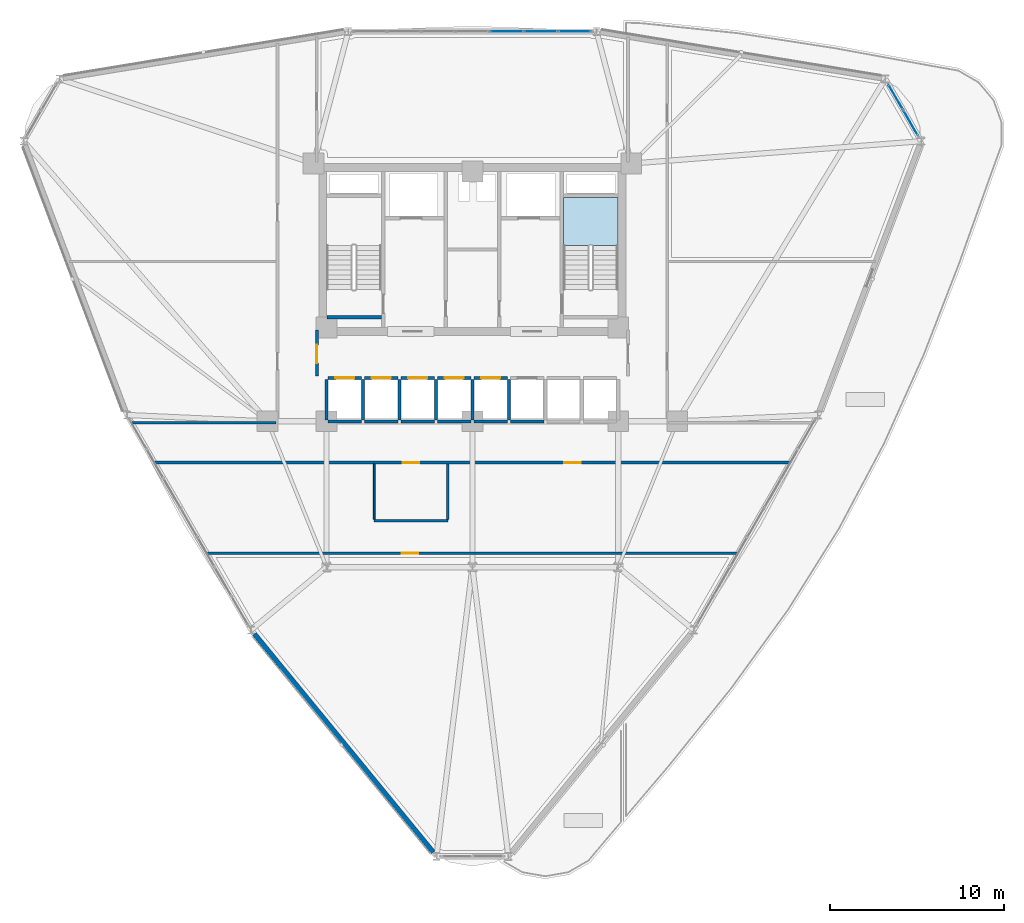
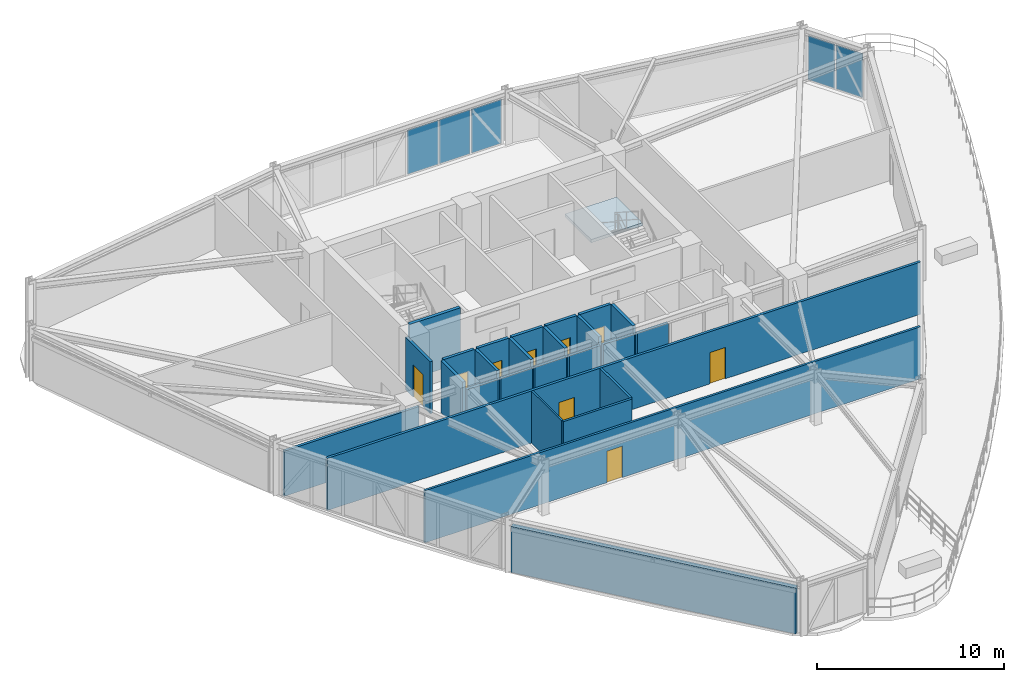
# One storey, part 17 of 23: 26 walls, 9 doors, 5 plates, 1 slab, 9 openings, 3 elements without a shape of their own.
"""IFC4 building model written with IfcOpenShell, lengths in metres."""

from ifc_helpers import new_model, si_unit, derived_unit, direction, frame, frame_2d, origin, origin_2d, place, context, subcontext, project, spatial, polyline, rectangle, outline, extrude, source, transform, mapped, material, layer, layer_set, type_object, element, fill, aggregate, save


model = new_model("IFC4")

# Units and contexts
model_context = context("Model", 3, precision=1e-05, world=origin(), true_north=direction((0.0, 1.0)))
body_context = subcontext(model_context, "Body", "Model", "MODEL_VIEW")
ifc_project = project(units=[si_unit("LENGTHUNIT", "METRE"), si_unit("AREAUNIT", "SQUARE_METRE"), si_unit("VOLUMEUNIT", "CUBIC_METRE"), si_unit("PLANEANGLEUNIT", "RADIAN"), si_unit("MASSUNIT", "GRAM", prefix="KILO"), derived_unit("THERMALTRANSMITTANCEUNIT", [(si_unit("POWERUNIT", "WATT"), 1), (si_unit("LENGTHUNIT", "METRE"), -2), (si_unit("THERMODYNAMICTEMPERATUREUNIT", "KELVIN"), -1)])], contexts=[model_context])

# Site, building, storey
site_placement = place(None, origin())
site = spatial("IfcSite", under=ifc_project, at=site_placement, CompositionType="ELEMENT")
building_placement = place(site_placement, origin())
building = spatial("IfcBuilding", under=site, at=building_placement, Name="Korsvarv Bourse and Concert Hall", CompositionType="ELEMENT")
storey_placement = place(building_placement, frame((0.0, 0.0, 99.0)))
storey = spatial("IfcBuildingStorey", under=building, at=storey_placement, Name="L24", CompositionType="ELEMENT", Elevation=99.0)

# Stair, slab
ifc_material_1 = material(Name="Precast concrete C45/55", Category="concrete")
stair_type = type_object("IfcStairType", Name="STR-TYPE-04", PredefinedType="HALF_TURN_STAIR", material=ifc_material_1)
stair_placement = place(storey_placement, origin())
stair = element("IfcStair", 1, at=stair_placement, inside=storey, type_object=stair_type, Name="L24 Tower East Exit Stair ST-T2", PredefinedType="HALF_TURN_STAIR")
ifc_layer_1 = layer(ifc_material_1, 0.199951171875)
ifc_layer_set_1 = layer_set([ifc_layer_1], Name="Precast concrete C45/55")
slab_type = type_object("IfcSlabType", Name="SLB-ST-LND", PredefinedType="LANDING", material=ifc_layer_set_1)
slab_placement = place(storey_placement, frame((0.0, 0.0, 1.60009765625)))
slab = element("IfcSlab", 2, at=slab_placement, type_object=slab_type, Name="ST-T2 landing 1", PredefinedType="LANDING", context=body_context, shape_type="SweptSolid", body=[
    extrude(outline(polyline([(44.39990234375, 42.52001953125), (44.39990234375, 45.300048828125), (41.239990234375, 45.300048828125), (41.239990234375, 42.52001953125), (44.39990234375, 42.52001953125)])), origin(), (0.0, 0.0, 1.0), 0.199951171875),
])
aggregate(stair, [slab])

# Curtain wall, plates
ifc_material_2 = material(Name="Anodised aluminium and triple low-E glazing", Category="glass")
ifc_layer_2 = layer(ifc_material_2, 0.2099609375)
ifc_layer_set_2 = layer_set([ifc_layer_2], Name="Anodised aluminium and triple low-E glazing")
curtain_wall_type = type_object("IfcCurtainWallType", Name="CW-SYS-2", PredefinedType="NOTDEFINED", material=ifc_layer_set_2)
curtain_wall_1_placement = place(storey_placement, origin())
curtain_wall_1 = element("IfcCurtainWall", 3, at=curtain_wall_1_placement, inside=storey, type_object=curtain_wall_type, Name="L24 CW2 curtain wall CW-L24-F01", PredefinedType="NOTDEFINED")
ifc_material_3 = material(Name="Insulated spandrel glass", Category="glass")
ifc_layer_3 = layer(ifc_material_3, 0.031982421875)
ifc_layer_set_3 = layer_set([ifc_layer_3], Name="Insulated spandrel glass")
plate_type_1 = type_object("IfcPlateType", Name="CWP-SPD1", PredefinedType="CURTAIN_PANEL", material=ifc_layer_set_3)
shared_shape_1 = source(origin(), body_context, "Body", "SweptSolid", [
    extrude(rectangle(XDim=1.64306640625, YDim=0.031982421875, at=origin_2d()), origin(), (0.0, 0.0, 1.0), 2.8701171875),
])
plate_1_placement = place(storey_placement, frame((61.245361328125, 49.58642578125, 0.06494140625), z_axis=(0.0, 0.0, 1.0), x_axis=(-0.500003073178, 0.866023629477, 0.0)))
plate_1 = element("IfcPlate", 4, at=plate_1_placement, type_object=plate_type_1, Name="CW2 spandrel shadow-box panel 1.1", PredefinedType="CURTAIN_PANEL", context=body_context, shape_type="MappedRepresentation", body=[
    mapped(shared_shape_1, transform((0.0, 0.0, 0.0), scale=1.0)),
])
ifc_material_4 = material(Name="Tempered triple insulated low-E architectural glass", Category="glass")
ifc_layer_4 = layer(ifc_material_4, 0.0380859375)
ifc_layer_set_4 = layer_set([ifc_layer_4], Name="Tempered triple insulated low-E architectural glass")
plate_type_2 = type_object("IfcPlateType", Name="CWP-VIS2", PredefinedType="CURTAIN_PANEL", material=ifc_layer_set_4)
shared_shape_2 = source(origin(), body_context, "Body", "SweptSolid", [
    extrude(rectangle(XDim=1.64306640625, YDim=0.0380859375, at=origin_2d()), origin(), (0.0, 0.0, 1.0), 2.8701171875),
])
plate_2_placement = place(storey_placement, frame((60.388671875, 51.06982421875, 0.06494140625), z_axis=(0.0, 0.0, 1.0), x_axis=(-0.500003073178, 0.866023629477, 0.0)))
plate_2 = element("IfcPlate", 5, at=plate_2_placement, type_object=plate_type_2, Name="CW2 faceted panel 2.1", PredefinedType="CURTAIN_PANEL", context=body_context, shape_type="MappedRepresentation", body=[
    mapped(shared_shape_2, transform((0.0, 0.0, 0.0), scale=1.0)),
])
aggregate(curtain_wall_1, [plate_1, plate_2])

curtain_wall_2_placement = place(storey_placement, origin())
curtain_wall_2 = element("IfcCurtainWall", 6, at=curtain_wall_2_placement, inside=storey, type_object=curtain_wall_type, Name="L24 CW2 curtain wall CW-L24-F03", PredefinedType="NOTDEFINED")
shared_shape_3 = source(origin(), body_context, "Body", "SweptSolid", [
    extrude(rectangle(XDim=1.86376953125, YDim=0.031982421875, at=origin_2d()), origin(), (0.0, 0.0, 1.0), 2.8701171875),
])
plate_3_placement = place(storey_placement, frame((41.888671875, 54.8515625, 0.06494140625), z_axis=(0.0, 0.0, 1.0), x_axis=(-1.0, 0.0, 0.0)))
plate_3 = element("IfcPlate", 7, at=plate_3_placement, type_object=plate_type_1, Name="CW2 spandrel shadow-box panel 1.1", PredefinedType="CURTAIN_PANEL", context=body_context, shape_type="MappedRepresentation", body=[
    mapped(shared_shape_3, transform((0.0, 0.0, 0.0), scale=1.0)),
])
shared_shape_4 = source(origin(), body_context, "Body", "SweptSolid", [
    extrude(rectangle(XDim=1.898681640625, YDim=0.0380859375, at=origin_2d()), origin(), (0.0, 0.0, 1.0), 2.8701171875),
])
plate_4_placement = place(storey_placement, frame((39.937255859375, 54.8515625, 0.06494140625), z_axis=(0.0, 0.0, 1.0), x_axis=(-1.0, 0.0, 0.0)))
plate_4 = element("IfcPlate", 8, at=plate_4_placement, type_object=plate_type_2, Name="CW2 faceted panel 2.1", PredefinedType="CURTAIN_PANEL", context=body_context, shape_type="MappedRepresentation", body=[
    mapped(shared_shape_4, transform((0.0, 0.0, 0.0), scale=1.0)),
])
plate_5_placement = place(storey_placement, frame((37.96875, 54.8515625, 0.06494140625), z_axis=(0.0, 0.0, 1.0), x_axis=(-1.0, 0.0, 0.0)))
plate_5 = element("IfcPlate", 9, at=plate_5_placement, type_object=plate_type_2, Name="CW2 faceted panel 3.1", PredefinedType="CURTAIN_PANEL", context=body_context, shape_type="MappedRepresentation", body=[
    mapped(shared_shape_4, transform((0.0, 0.0, 0.0), scale=1.0)),
])
aggregate(curtain_wall_2, [plate_3, plate_4, plate_5])

# Walls
ifc_material_5 = material(Name="Concrete C50/60", Category="concrete")
ifc_layer_5 = layer(ifc_material_5, 0.3798828125)
ifc_layer_set_5 = layer_set([ifc_layer_5], Name="Concrete C50/60")
wall_type_1 = type_object("IfcWallType", Name="WL-CORE-380", PredefinedType="SHEAR", material=ifc_layer_set_5)
wall_1_placement = place(storey_placement, frame((27.610107421875, 38.39990234375, 0.0), z_axis=(0.0, 0.0, 1.0), x_axis=(1.0, 0.0, 0.0)))
element("IfcWall", 10, at=wall_1_placement, inside=storey, type_object=wall_type_1, Name="L24 stair shaft structural wall W-L24-ST1-S", PredefinedType="SHEAR", context=body_context, shape_type="SweptSolid", body=[
    extrude(rectangle(XDim=3.139892578125, YDim=0.199951171875, at=frame_2d((1.56982421875, 0.0))), origin(), (0.0, 0.0, 1.0), 3.60009765625),
])
ifc_material_6 = material(Name="Precast concrete C45/55 with fluted terracotta pier", Category="concrete")
ifc_layer_6 = layer(ifc_material_6, 0.280029296875)
ifc_layer_set_6 = layer_set([ifc_layer_6], Name="Precast concrete C45/55 with fluted terracotta pier")
wall_type_2 = type_object("IfcWallType", Name="WL-EXT-TC2", PredefinedType="SOLIDWALL", material=ifc_layer_set_6)
wall_2_placement = place(storey_placement, frame((23.439208984375, 20.150146484375, 0.0), z_axis=(0.0, 0.0, 1.0), x_axis=(0.633768446385, -0.773522822137, 0.0)))
element("IfcWall", 11, at=wall_2_placement, inside=storey, type_object=wall_type_2, Name="L24 terracotta exterior wall EW-L24-B08", PredefinedType="SOLIDWALL", context=body_context, shape_type="SweptSolid", body=[
    extrude(rectangle(XDim=16.255126953125, YDim=0.280029296875, at=frame_2d((8.12744140625, 0.0))), origin(), (0.0, 0.0, 1.0), 3.0),
])

# Wall, opening, door
ifc_material_7 = material(Name="Double-stud fire-rated acoustic partition", Category="gypsum")
ifc_layer_7 = layer(ifc_material_7, 0.159912109375)
ifc_layer_set_7 = layer_set([ifc_layer_7], Name="Double-stud fire-rated acoustic partition")
wall_type_3 = type_object("IfcWallType", Name="WL-INT-EI60", PredefinedType="PARTITIONING", material=ifc_layer_set_7)
wall_3_placement = place(storey_placement, frame((27.0400390625, 35.0, 0.0), z_axis=(0.0, 0.0, 1.0), x_axis=(0.0, 1.0, 0.0)))
wall_3 = element("IfcWall", 12, at=wall_3_placement, inside=storey, type_object=wall_type_3, Name="L24 interior partition wall W-L24-LOB-W", PredefinedType="PARTITIONING", context=body_context, shape_type="SweptSolid", body=[
    extrude(rectangle(XDim=2.64990234375, YDim=0.159912109375, at=frame_2d((1.324951171875, 0.0))), origin(), (0.0, 0.0, 1.0), 3.39990234375),
])
opening_1_placement = place(wall_3_placement, frame((0.75, 0.0, 0.0)))
opening_1 = element("IfcOpeningElement", 13, at=opening_1_placement, cuts=wall_3, Name="Opening D-01", PredefinedType="OPENING", context=body_context, shape_type="SweptSolid", body=[
    extrude(rectangle(XDim=1.050048828125, YDim=2.10009765625, at=frame_2d((0.52490234375, 1.050048828125))), frame((0.0, 0.08984375, 0.0), z_axis=(0.0, -1.0, 0.0), x_axis=(1.0, 0.0, 0.0)), (0.0, 0.0, 1.0), 0.179931640625),
])
ifc_material_8 = material(Name="Steel S355 fire door", Category="steel")
door_type_1 = type_object("IfcDoorType", Name="DR-FD60", OperationType="NOTDEFINED", PredefinedType="DOOR", material=ifc_material_8)
door_1_placement = place(opening_1_placement, frame((1.050048828125, 0.0, 0.0), z_axis=(0.0, 0.0, 1.0), x_axis=(-1.0, 0.0, 0.0)))
door_1 = element("IfcDoor", 14, at=door_1_placement, inside=storey, type_object=door_type_1, Name="L24 interior door DR-L24-LOBW", OperationType="SINGLE_SWING_RIGHT", OverallHeight=2.10009765625, OverallWidth=1.050048828125, PredefinedType="DOOR", context=body_context, shape_type="SweptSolid", body=[
    extrude(rectangle(XDim=1.050048828125, YDim=2.10009765625, at=frame_2d((0.52490234375, 1.050048828125))), frame((0.0, 0.02490234375, 0.0), z_axis=(0.0, -1.0, 0.0), x_axis=(1.0, 0.0, 0.0)), (0.0, 0.0, 1.0), 0.050048828125),
])
fill(opening_1, door_1)

# Wall, openings, doors
wall_4_placement = place(storey_placement, frame((17.701904296875, 30.02490234375, 0.0), z_axis=(0.0, 0.0, 1.0), x_axis=(1.0, 0.0, 0.0)))
wall_4 = element("IfcWall", 15, at=wall_4_placement, inside=storey, type_object=wall_type_3, Name="L24 interior partition wall W-L24-TCOR-01", PredefinedType="PARTITIONING", context=body_context, shape_type="SweptSolid", body=[
    extrude(rectangle(XDim=36.59619140625, YDim=0.159912109375, at=frame_2d((18.298095703125, 0.0))), origin(), (0.0, 0.0, 1.0), 3.39990234375),
])
opening_2_placement = place(wall_4_placement, frame((14.283203125, 0.0, 0.0)))
opening_2 = element("IfcOpeningElement", 16, at=opening_2_placement, cuts=wall_4, Name="Opening D-02", PredefinedType="OPENING", context=body_context, shape_type="SweptSolid", body=[
    extrude(rectangle(XDim=0.949951171875, YDim=2.050048828125, at=frame_2d((0.47509765625, 1.02490234375))), frame((0.0, 0.08984375, 0.0), z_axis=(0.0, -1.0, 0.0), x_axis=(1.0, 0.0, 0.0)), (0.0, 0.0, 1.0), 0.179931640625),
])
opening_3_placement = place(wall_4_placement, frame((23.59619140625, 0.0, 0.0)))
opening_3 = element("IfcOpeningElement", 17, at=opening_3_placement, cuts=wall_4, Name="Opening D-02", PredefinedType="OPENING", context=body_context, shape_type="SweptSolid", body=[
    extrude(rectangle(XDim=0.949951171875, YDim=2.050048828125, at=frame_2d((0.47509765625, 1.02490234375))), frame((0.0, 0.08984375, 0.0), z_axis=(0.0, -1.0, 0.0), x_axis=(1.0, 0.0, 0.0)), (0.0, 0.0, 1.0), 0.179931640625),
])
ifc_material_9 = material(Name="Timber and steel acoustic fire door", Category="wood")
door_type_2 = type_object("IfcDoorType", Name="DR-FD30", OperationType="NOTDEFINED", PredefinedType="DOOR", material=ifc_material_9)
door_2_placement = place(opening_2_placement, origin())
door_2 = element("IfcDoor", 18, at=door_2_placement, inside=storey, type_object=door_type_2, Name="L24 interior door DR-L24-TCOR-RWC", OperationType="SINGLE_SWING_RIGHT", OverallHeight=2.050048828125, OverallWidth=0.949951171875, PredefinedType="DOOR", context=body_context, shape_type="SweptSolid", body=[
    extrude(rectangle(XDim=0.949951171875, YDim=2.050048828125, at=frame_2d((0.47509765625, 1.02490234375))), frame((0.0, 0.02490234375, 0.0), z_axis=(0.0, -1.0, 0.0), x_axis=(1.0, 0.0, 0.0)), (0.0, 0.0, 1.0), 0.050048828125),
])
fill(opening_2, door_2)
door_3_placement = place(opening_3_placement, origin())
door_3 = element("IfcDoor", 19, at=door_3_placement, inside=storey, type_object=door_type_2, Name="L24 interior door DR-L24-TCOR-SL14", OperationType="SINGLE_SWING_LEFT", OverallHeight=2.050048828125, OverallWidth=0.949951171875, PredefinedType="DOOR", context=body_context, shape_type="SweptSolid", body=[
    extrude(rectangle(XDim=0.949951171875, YDim=2.050048828125, at=frame_2d((0.47509765625, 1.02490234375))), frame((0.0, 0.02490234375, 0.0), z_axis=(0.0, -1.0, 0.0), x_axis=(1.0, 0.0, 0.0)), (0.0, 0.0, 1.0), 0.050048828125),
])
fill(opening_3, door_3)

# Wall
wall_5_placement = place(storey_placement, frame((16.379638671875, 32.31494140625, 0.0), z_axis=(0.0, 0.0, 1.0), x_axis=(1.0, 0.0, 0.0)))
element("IfcWall", 20, at=wall_5_placement, inside=storey, type_object=wall_type_3, Name="L24 interior partition wall W-L24-TCOR-04", PredefinedType="PARTITIONING", context=body_context, shape_type="SweptSolid", body=[
    extrude(rectangle(XDim=8.3134765625, YDim=0.159912109375, at=frame_2d((4.15673828125, 0.0))), origin(), (0.0, 0.0, 1.0), 2.949951171875),
])

# Wall, opening, door
ifc_material_10 = material(Name="Gypsum-clad autoclaved concrete shaft wall C30/37", Category="concrete")
ifc_layer_8 = layer(ifc_material_10, 0.179931640625)
ifc_layer_set_8 = layer_set([ifc_layer_8], Name="Gypsum-clad autoclaved concrete shaft wall C30/37")
wall_type_4 = type_object("IfcWallType", Name="WL-INT-EI90", PredefinedType="PARTITIONING", material=ifc_layer_set_8)
wall_6_placement = place(storey_placement, frame((27.68994140625, 34.89990234375, 0.0), z_axis=(0.0, 0.0, 1.0), x_axis=(1.0, 0.0, 0.0)))
wall_6 = element("IfcWall", 21, at=wall_6_placement, inside=storey, type_object=wall_type_4, Name="L24 interior partition wall W-L24-SHFN-PL1", PredefinedType="PARTITIONING", context=body_context, shape_type="SweptSolid", body=[
    extrude(rectangle(XDim=1.920166015625, YDim=0.179931640625, at=frame_2d((0.9599609375, 0.0))), origin(), (0.0, 0.0, 1.0), 3.39990234375),
])
opening_4_placement = place(wall_6_placement, frame((0.409912109375, 0.0, 0.0)))
opening_4 = element("IfcOpeningElement", 22, at=opening_4_placement, cuts=wall_6, Name="Opening LD-2", PredefinedType="OPENING", context=body_context, shape_type="SweptSolid", body=[
    extrude(rectangle(XDim=1.10009765625, YDim=2.10009765625, at=frame_2d((0.550048828125, 1.050048828125))), frame((0.0, 0.10009765625, 0.0), z_axis=(0.0, -1.0, 0.0), x_axis=(1.0, 0.0, 0.0)), (0.0, 0.0, 1.0), 0.199951171875),
])
ifc_material_11 = material(Name="Brushed stainless Steel S355 lift landing door", Category="steel")
door_type_3 = type_object("IfcDoorType", Name="DR-LIFT-P", OperationType="DOUBLE_DOOR_SLIDING", PredefinedType="DOOR", material=ifc_material_11)
door_4_placement = place(opening_4_placement, origin())
door_4 = element("IfcDoor", 23, at=door_4_placement, inside=storey, type_object=door_type_3, Name="L24 lift sliding landing door LD-L24-PL1", OperationType="DOUBLE_DOOR_SLIDING", OverallHeight=2.10009765625, OverallWidth=1.10009765625, PredefinedType="DOOR", context=body_context, shape_type="SweptSolid", body=[
    extrude(rectangle(XDim=1.10009765625, YDim=2.10009765625, at=frame_2d((0.550048828125, 1.050048828125))), frame((0.0, 0.02490234375, 0.0), z_axis=(0.0, -1.0, 0.0), x_axis=(1.0, 0.0, 0.0)), (0.0, 0.0, 1.0), 0.050048828125),
])
fill(opening_4, door_4)

# Walls
wall_7_placement = place(storey_placement, frame((27.68994140625, 32.39990234375, 0.0), z_axis=(0.0, 0.0, 1.0), x_axis=(1.0, 0.0, 0.0)))
element("IfcWall", 24, at=wall_7_placement, inside=storey, type_object=wall_type_4, Name="L24 interior partition wall W-L24-SHFS-PL1", PredefinedType="PARTITIONING", context=body_context, shape_type="SweptSolid", body=[
    extrude(rectangle(XDim=1.920166015625, YDim=0.179931640625, at=frame_2d((0.9599609375, 0.0))), origin(), (0.0, 0.0, 1.0), 2.949951171875),
])
wall_8_placement = place(storey_placement, frame((27.60009765625, 32.489990234375, 0.0), z_axis=(0.0, 0.0, 1.0), x_axis=(0.0, 1.0, 0.0)))
element("IfcWall", 25, at=wall_8_placement, inside=storey, type_object=wall_type_4, Name="L24 interior partition wall W-L24-SHFW-PL1", PredefinedType="PARTITIONING", context=body_context, shape_type="SweptSolid", body=[
    extrude(rectangle(XDim=2.320068359375, YDim=0.179931640625, at=frame_2d((1.16015625, 0.0))), origin(), (0.0, 0.0, 1.0), 3.39990234375),
])

# Wall, opening, door
wall_9_placement = place(storey_placement, frame((29.7900390625, 34.89990234375, 0.0), z_axis=(0.0, 0.0, 1.0), x_axis=(1.0, 0.0, 0.0)))
wall_9 = element("IfcWall", 26, at=wall_9_placement, inside=storey, type_object=wall_type_4, Name="L24 interior partition wall W-L24-SHFN-PL2", PredefinedType="PARTITIONING", context=body_context, shape_type="SweptSolid", body=[
    extrude(rectangle(XDim=1.919921875, YDim=0.179931640625, at=frame_2d((0.9599609375, 0.0))), origin(), (0.0, 0.0, 1.0), 3.39990234375),
])
opening_5_placement = place(wall_9_placement, frame((0.409912109375, 0.0, 0.0)))
opening_5 = element("IfcOpeningElement", 27, at=opening_5_placement, cuts=wall_9, Name="Opening LD-2", PredefinedType="OPENING", context=body_context, shape_type="SweptSolid", body=[
    extrude(rectangle(XDim=1.10009765625, YDim=2.10009765625, at=frame_2d((0.550048828125, 1.050048828125))), frame((0.0, 0.10009765625, 0.0), z_axis=(0.0, -1.0, 0.0), x_axis=(1.0, 0.0, 0.0)), (0.0, 0.0, 1.0), 0.199951171875),
])
door_5_placement = place(opening_5_placement, origin())
door_5 = element("IfcDoor", 28, at=door_5_placement, inside=storey, type_object=door_type_3, Name="L24 lift sliding landing door LD-L24-PL2", OperationType="DOUBLE_DOOR_SLIDING", OverallHeight=2.10009765625, OverallWidth=1.10009765625, PredefinedType="DOOR", context=body_context, shape_type="SweptSolid", body=[
    extrude(rectangle(XDim=1.10009765625, YDim=2.10009765625, at=frame_2d((0.550048828125, 1.050048828125))), frame((0.0, 0.02490234375, 0.0), z_axis=(0.0, -1.0, 0.0), x_axis=(1.0, 0.0, 0.0)), (0.0, 0.0, 1.0), 0.050048828125),
])
fill(opening_5, door_5)

# Walls
wall_10_placement = place(storey_placement, frame((29.7900390625, 32.39990234375, 0.0), z_axis=(0.0, 0.0, 1.0), x_axis=(1.0, 0.0, 0.0)))
element("IfcWall", 29, at=wall_10_placement, inside=storey, type_object=wall_type_4, Name="L24 interior partition wall W-L24-SHFS-PL2", PredefinedType="PARTITIONING", context=body_context, shape_type="SweptSolid", body=[
    extrude(rectangle(XDim=1.919921875, YDim=0.179931640625, at=frame_2d((0.9599609375, 0.0))), origin(), (0.0, 0.0, 1.0), 2.949951171875),
])
wall_11_placement = place(storey_placement, frame((29.699951171875, 32.489990234375, 0.0), z_axis=(0.0, 0.0, 1.0), x_axis=(0.0, 1.0, 0.0)))
element("IfcWall", 30, at=wall_11_placement, inside=storey, type_object=wall_type_4, Name="L24 interior partition wall W-L24-SHFW-PL2", PredefinedType="PARTITIONING", context=body_context, shape_type="SweptSolid", body=[
    extrude(rectangle(XDim=2.320068359375, YDim=0.179931640625, at=frame_2d((1.16015625, 0.0))), origin(), (0.0, 0.0, 1.0), 3.39990234375),
])

# Wall, opening, door
wall_12_placement = place(storey_placement, frame((31.889892578125, 34.89990234375, 0.0), z_axis=(0.0, 0.0, 1.0), x_axis=(1.0, 0.0, 0.0)))
wall_12 = element("IfcWall", 31, at=wall_12_placement, inside=storey, type_object=wall_type_4, Name="L24 interior partition wall W-L24-SHFN-PM1", PredefinedType="PARTITIONING", context=body_context, shape_type="SweptSolid", body=[
    extrude(rectangle(XDim=1.920166015625, YDim=0.179931640625, at=frame_2d((0.9599609375, 0.0))), origin(), (0.0, 0.0, 1.0), 3.39990234375),
])
opening_6_placement = place(wall_12_placement, frame((0.409912109375, 0.0, 0.0)))
opening_6 = element("IfcOpeningElement", 32, at=opening_6_placement, cuts=wall_12, Name="Opening LD-2", PredefinedType="OPENING", context=body_context, shape_type="SweptSolid", body=[
    extrude(rectangle(XDim=1.10009765625, YDim=2.10009765625, at=frame_2d((0.550048828125, 1.050048828125))), frame((0.0, 0.10009765625, 0.0), z_axis=(0.0, -1.0, 0.0), x_axis=(1.0, 0.0, 0.0)), (0.0, 0.0, 1.0), 0.199951171875),
])
door_6_placement = place(opening_6_placement, origin())
door_6 = element("IfcDoor", 33, at=door_6_placement, inside=storey, type_object=door_type_3, Name="L24 lift sliding landing door LD-L24-PM1", OperationType="DOUBLE_DOOR_SLIDING", OverallHeight=2.10009765625, OverallWidth=1.10009765625, PredefinedType="DOOR", context=body_context, shape_type="SweptSolid", body=[
    extrude(rectangle(XDim=1.10009765625, YDim=2.10009765625, at=frame_2d((0.550048828125, 1.050048828125))), frame((0.0, 0.02490234375, 0.0), z_axis=(0.0, -1.0, 0.0), x_axis=(1.0, 0.0, 0.0)), (0.0, 0.0, 1.0), 0.050048828125),
])
fill(opening_6, door_6)

# Walls
wall_13_placement = place(storey_placement, frame((31.889892578125, 32.39990234375, 0.0), z_axis=(0.0, 0.0, 1.0), x_axis=(1.0, 0.0, 0.0)))
element("IfcWall", 34, at=wall_13_placement, inside=storey, type_object=wall_type_4, Name="L24 interior partition wall W-L24-SHFS-PM1", PredefinedType="PARTITIONING", context=body_context, shape_type="SweptSolid", body=[
    extrude(rectangle(XDim=1.920166015625, YDim=0.179931640625, at=frame_2d((0.9599609375, 0.0))), origin(), (0.0, 0.0, 1.0), 2.949951171875),
])
wall_14_placement = place(storey_placement, frame((31.800048828125, 32.489990234375, 0.0), z_axis=(0.0, 0.0, 1.0), x_axis=(0.0, 1.0, 0.0)))
element("IfcWall", 35, at=wall_14_placement, inside=storey, type_object=wall_type_4, Name="L24 interior partition wall W-L24-SHFW-PM1", PredefinedType="PARTITIONING", context=body_context, shape_type="SweptSolid", body=[
    extrude(rectangle(XDim=2.320068359375, YDim=0.179931640625, at=frame_2d((1.16015625, 0.0))), origin(), (0.0, 0.0, 1.0), 3.39990234375),
])

# Wall, opening, door
wall_15_placement = place(storey_placement, frame((33.989990234375, 34.89990234375, 0.0), z_axis=(0.0, 0.0, 1.0), x_axis=(1.0, 0.0, 0.0)))
wall_15 = element("IfcWall", 36, at=wall_15_placement, inside=storey, type_object=wall_type_4, Name="L24 interior partition wall W-L24-SHFN-PM2", PredefinedType="PARTITIONING", context=body_context, shape_type="SweptSolid", body=[
    extrude(rectangle(XDim=1.919921875, YDim=0.179931640625, at=frame_2d((0.9599609375, 0.0))), origin(), (0.0, 0.0, 1.0), 3.39990234375),
])
opening_7_placement = place(wall_15_placement, frame((0.409912109375, 0.0, 0.0)))
opening_7 = element("IfcOpeningElement", 37, at=opening_7_placement, cuts=wall_15, Name="Opening LD-2", PredefinedType="OPENING", context=body_context, shape_type="SweptSolid", body=[
    extrude(rectangle(XDim=1.10009765625, YDim=2.10009765625, at=frame_2d((0.550048828125, 1.050048828125))), frame((0.0, 0.10009765625, 0.0), z_axis=(0.0, -1.0, 0.0), x_axis=(1.0, 0.0, 0.0)), (0.0, 0.0, 1.0), 0.199951171875),
])
door_7_placement = place(opening_7_placement, origin())
door_7 = element("IfcDoor", 38, at=door_7_placement, inside=storey, type_object=door_type_3, Name="L24 lift sliding landing door LD-L24-PM2", OperationType="DOUBLE_DOOR_SLIDING", OverallHeight=2.10009765625, OverallWidth=1.10009765625, PredefinedType="DOOR", context=body_context, shape_type="SweptSolid", body=[
    extrude(rectangle(XDim=1.10009765625, YDim=2.10009765625, at=frame_2d((0.550048828125, 1.050048828125))), frame((0.0, 0.02490234375, 0.0), z_axis=(0.0, -1.0, 0.0), x_axis=(1.0, 0.0, 0.0)), (0.0, 0.0, 1.0), 0.050048828125),
])
fill(opening_7, door_7)

# Walls
wall_16_placement = place(storey_placement, frame((33.989990234375, 32.39990234375, 0.0), z_axis=(0.0, 0.0, 1.0), x_axis=(1.0, 0.0, 0.0)))
element("IfcWall", 39, at=wall_16_placement, inside=storey, type_object=wall_type_4, Name="L24 interior partition wall W-L24-SHFS-PM2", PredefinedType="PARTITIONING", context=body_context, shape_type="SweptSolid", body=[
    extrude(rectangle(XDim=1.919921875, YDim=0.179931640625, at=frame_2d((0.9599609375, 0.0))), origin(), (0.0, 0.0, 1.0), 2.949951171875),
])
wall_17_placement = place(storey_placement, frame((33.89990234375, 32.489990234375, 0.0), z_axis=(0.0, 0.0, 1.0), x_axis=(0.0, 1.0, 0.0)))
element("IfcWall", 40, at=wall_17_placement, inside=storey, type_object=wall_type_4, Name="L24 interior partition wall W-L24-SHFW-PM2", PredefinedType="PARTITIONING", context=body_context, shape_type="SweptSolid", body=[
    extrude(rectangle(XDim=2.320068359375, YDim=0.179931640625, at=frame_2d((1.16015625, 0.0))), origin(), (0.0, 0.0, 1.0), 3.39990234375),
])

# Wall, opening, door
wall_18_placement = place(storey_placement, frame((36.090087890625, 34.89990234375, 0.0), z_axis=(0.0, 0.0, 1.0), x_axis=(1.0, 0.0, 0.0)))
wall_18 = element("IfcWall", 41, at=wall_18_placement, inside=storey, type_object=wall_type_4, Name="L24 interior partition wall W-L24-SHFN-PH1", PredefinedType="PARTITIONING", context=body_context, shape_type="SweptSolid", body=[
    extrude(rectangle(XDim=1.919921875, YDim=0.179931640625, at=frame_2d((0.9599609375, 0.0))), origin(), (0.0, 0.0, 1.0), 3.39990234375),
])
opening_8_placement = place(wall_18_placement, frame((0.409912109375, 0.0, 0.0)))
opening_8 = element("IfcOpeningElement", 42, at=opening_8_placement, cuts=wall_18, Name="Opening LD-2", PredefinedType="OPENING", context=body_context, shape_type="SweptSolid", body=[
    extrude(rectangle(XDim=1.10009765625, YDim=2.10009765625, at=frame_2d((0.550048828125, 1.050048828125))), frame((0.0, 0.10009765625, 0.0), z_axis=(0.0, -1.0, 0.0), x_axis=(1.0, 0.0, 0.0)), (0.0, 0.0, 1.0), 0.199951171875),
])
door_8_placement = place(opening_8_placement, origin())
door_8 = element("IfcDoor", 43, at=door_8_placement, inside=storey, type_object=door_type_3, Name="L24 lift sliding landing door LD-L24-PH1", OperationType="DOUBLE_DOOR_SLIDING", OverallHeight=2.10009765625, OverallWidth=1.10009765625, PredefinedType="DOOR", context=body_context, shape_type="SweptSolid", body=[
    extrude(rectangle(XDim=1.10009765625, YDim=2.10009765625, at=frame_2d((0.550048828125, 1.050048828125))), frame((0.0, 0.02490234375, 0.0), z_axis=(0.0, -1.0, 0.0), x_axis=(1.0, 0.0, 0.0)), (0.0, 0.0, 1.0), 0.050048828125),
])
fill(opening_8, door_8)

# Walls
wall_19_placement = place(storey_placement, frame((36.090087890625, 32.39990234375, 0.0), z_axis=(0.0, 0.0, 1.0), x_axis=(1.0, 0.0, 0.0)))
element("IfcWall", 44, at=wall_19_placement, inside=storey, type_object=wall_type_4, Name="L24 interior partition wall W-L24-SHFS-PH1", PredefinedType="PARTITIONING", context=body_context, shape_type="SweptSolid", body=[
    extrude(rectangle(XDim=1.919921875, YDim=0.179931640625, at=frame_2d((0.9599609375, 0.0))), origin(), (0.0, 0.0, 1.0), 2.949951171875),
])
wall_20_placement = place(storey_placement, frame((36.0, 32.489990234375, 0.0), z_axis=(0.0, 0.0, 1.0), x_axis=(0.0, 1.0, 0.0)))
element("IfcWall", 45, at=wall_20_placement, inside=storey, type_object=wall_type_4, Name="L24 interior partition wall W-L24-SHFW-PH1", PredefinedType="PARTITIONING", context=body_context, shape_type="SweptSolid", body=[
    extrude(rectangle(XDim=2.320068359375, YDim=0.179931640625, at=frame_2d((1.16015625, 0.0))), origin(), (0.0, 0.0, 1.0), 3.39990234375),
])
wall_21_placement = place(storey_placement, frame((38.18994140625, 32.39990234375, 0.0), z_axis=(0.0, 0.0, 1.0), x_axis=(1.0, 0.0, 0.0)))
element("IfcWall", 46, at=wall_21_placement, inside=storey, type_object=wall_type_4, Name="L24 interior partition wall W-L24-SHFS-PH2", PredefinedType="PARTITIONING", context=body_context, shape_type="SweptSolid", body=[
    extrude(rectangle(XDim=1.920166015625, YDim=0.179931640625, at=frame_2d((0.9599609375, 0.0))), origin(), (0.0, 0.0, 1.0), 2.949951171875),
])
wall_22_placement = place(storey_placement, frame((38.10009765625, 32.489990234375, 0.0), z_axis=(0.0, 0.0, 1.0), x_axis=(0.0, 1.0, 0.0)))
element("IfcWall", 47, at=wall_22_placement, inside=storey, type_object=wall_type_4, Name="L24 interior partition wall W-L24-SHFW-PH2", PredefinedType="PARTITIONING", context=body_context, shape_type="SweptSolid", body=[
    extrude(rectangle(XDim=2.320068359375, YDim=0.179931640625, at=frame_2d((1.16015625, 0.0))), origin(), (0.0, 0.0, 1.0), 3.39990234375),
])
ifc_material_12 = material(Name="Demountable acoustic glass and aluminium dealing partition", Category="aluminium")
ifc_layer_9 = layer(ifc_material_12, 0.110107421875)
ifc_layer_set_9 = layer_set([ifc_layer_9], Name="Demountable acoustic glass and aluminium dealing partition")
wall_type_5 = type_object("IfcWallType", Name="WL-INT-MOV", PredefinedType="MOVABLE", material=ifc_layer_set_9)
wall_23_placement = place(storey_placement, frame((30.344970703125, 26.7470703125, 0.0), z_axis=(0.0, 0.0, 1.0), x_axis=(0.0, 1.0, 0.0)))
element("IfcWall", 48, at=wall_23_placement, inside=storey, type_object=wall_type_5, Name="L24 interior partition wall W-L24-TCOR-13", PredefinedType="MOVABLE", context=body_context, shape_type="SweptSolid", body=[
    extrude(rectangle(XDim=3.196044921875, YDim=0.110107421875, at=frame_2d((1.59814453125, 0.0))), origin(), (0.0, 0.0, 1.0), 3.39990234375),
])

# Wall, opening, door
ifc_material_13 = material(Name="Insulated steel-stud office acoustic partition", Category="gypsum")
ifc_layer_10 = layer(ifc_material_13, 0.139892578125)
ifc_layer_set_10 = layer_set([ifc_layer_10], Name="Insulated steel-stud office acoustic partition")
wall_type_6 = type_object("IfcWallType", Name="WL-INT-P1", PredefinedType="PARTITIONING", material=ifc_layer_set_10)
wall_24_placement = place(storey_placement, frame((20.715576171875, 24.804931640625, 0.0), z_axis=(0.0, 0.0, 1.0), x_axis=(1.0, 0.0, 0.0)))
wall_24 = element("IfcWall", 49, at=wall_24_placement, inside=storey, type_object=wall_type_6, Name="L24 interior partition wall W-L24-TCOR-08", PredefinedType="PARTITIONING", context=body_context, shape_type="SweptSolid", body=[
    extrude(rectangle(XDim=30.56884765625, YDim=0.139892578125, at=frame_2d((15.284423828125, 0.0))), origin(), (0.0, 0.0, 1.0), 3.39990234375),
])
opening_9_placement = place(wall_24_placement, frame((11.22119140625, 0.0, 0.0)))
opening_9 = element("IfcOpeningElement", 50, at=opening_9_placement, cuts=wall_24, Name="Opening D-03", PredefinedType="OPENING", context=body_context, shape_type="SweptSolid", body=[
    extrude(rectangle(XDim=0.949951171875, YDim=2.050048828125, at=frame_2d((0.47509765625, 1.02490234375))), frame((0.0, 0.080078125, 0.0), z_axis=(0.0, -1.0, 0.0), x_axis=(1.0, 0.0, 0.0)), (0.0, 0.0, 1.0), 0.159912109375),
])
ifc_material_14 = material(Name="Nordic oak acoustic office door", Category="wood")
door_type_4 = type_object("IfcDoorType", Name="DR-INT-1", OperationType="NOTDEFINED", PredefinedType="DOOR", material=ifc_material_14)
door_9_placement = place(opening_9_placement, origin())
door_9 = element("IfcDoor", 51, at=door_9_placement, inside=storey, type_object=door_type_4, Name="L24 interior door DR-L24-TCOR-SL23", OperationType="SINGLE_SWING_LEFT", OverallHeight=2.050048828125, OverallWidth=0.949951171875, PredefinedType="DOOR", context=body_context, shape_type="SweptSolid", body=[
    extrude(rectangle(XDim=0.949951171875, YDim=2.050048828125, at=frame_2d((0.47509765625, 1.02490234375))), frame((0.0, 0.02490234375, 0.0), z_axis=(0.0, -1.0, 0.0), x_axis=(1.0, 0.0, 0.0)), (0.0, 0.0, 1.0), 0.050048828125),
])
fill(opening_9, door_9)

# Walls
wall_25_placement = place(storey_placement, frame((30.340087890625, 26.675048828125, 0.0), z_axis=(0.0, 0.0, 1.0), x_axis=(1.0, 0.0, 0.0)))
element("IfcWall", 52, at=wall_25_placement, inside=storey, type_object=wall_type_6, Name="L24 interior partition wall W-L24-TCOR-11", PredefinedType="PARTITIONING", context=body_context, shape_type="SweptSolid", body=[
    extrude(rectangle(XDim=4.239990234375, YDim=0.139892578125, at=frame_2d((2.1201171875, 0.0))), origin(), (0.0, 0.0, 1.0), 3.39990234375),
])
wall_26_placement = place(storey_placement, frame((34.574951171875, 26.7470703125, 0.0), z_axis=(0.0, 0.0, 1.0), x_axis=(0.0, 1.0, 0.0)))
element("IfcWall", 53, at=wall_26_placement, inside=storey, type_object=wall_type_6, Name="L24 interior partition wall W-L24-TCOR-12", PredefinedType="PARTITIONING", context=body_context, shape_type="SweptSolid", body=[
    extrude(rectangle(XDim=3.196044921875, YDim=0.139892578125, at=frame_2d((1.59814453125, 0.0))), origin(), (0.0, 0.0, 1.0), 3.39990234375),
])

save(model, "model.ifc")
